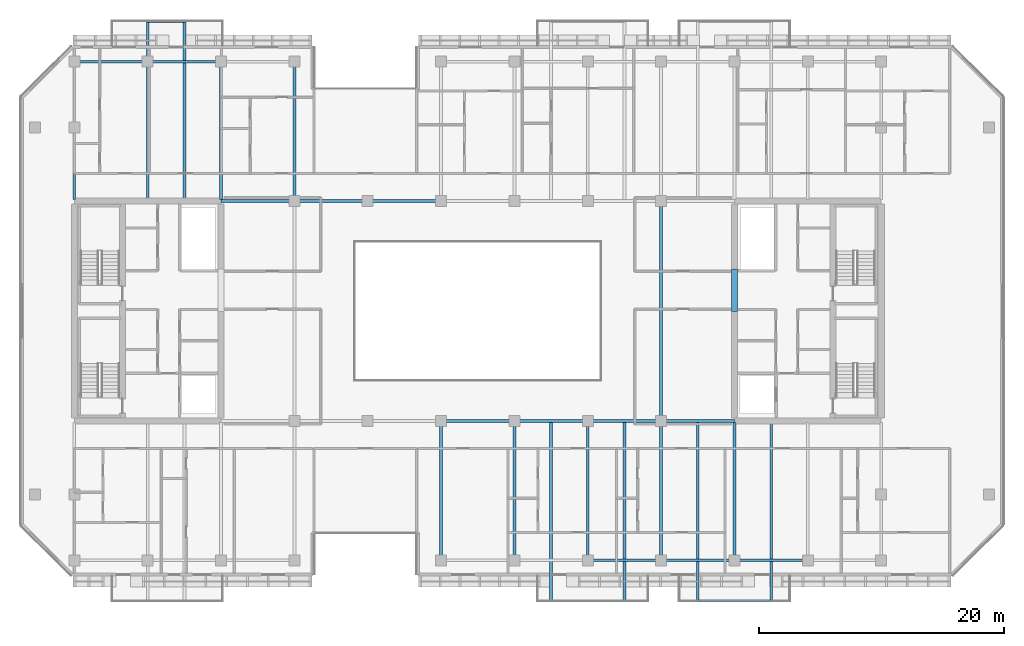
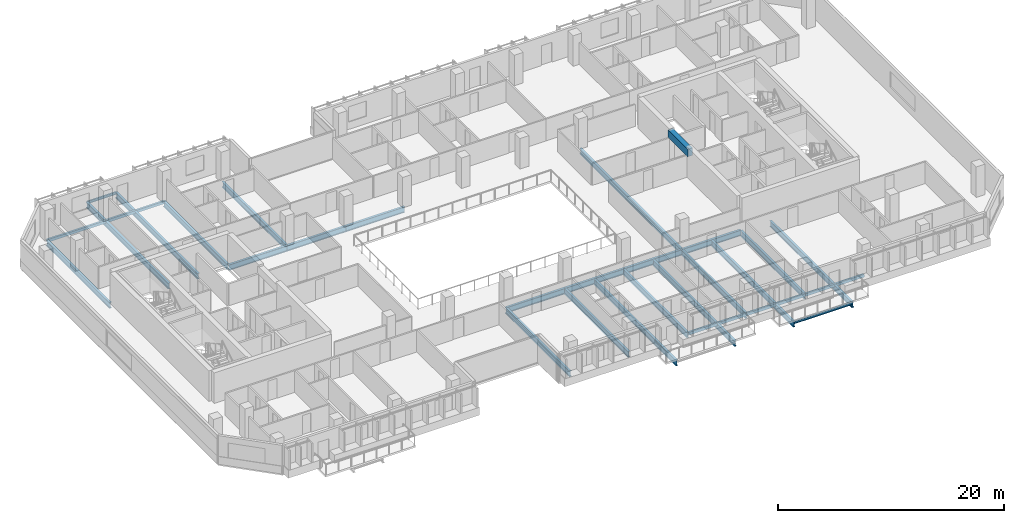
# One storey, part 5 of 20: 30 beams.
"""IFC4 building model written with IfcOpenShell, lengths in metres."""

import ifcopenshell
import ifcopenshell.guid

model = None  # the IFC model being written
_history = None  # IfcOwnerHistory: only IFC2X3 demands one
_inside = {}  # id of a spatial element -> (the spatial element, [elements in it])
_under = {}  # id of a project, library or spatial element -> (it, [spatial elements below it])
_declared = {}  # id of a project -> (the project, [libraries it declares])
_typed = {}  # id of a type object -> (the type object, [elements of that type])
_made_of = {}  # id of a material, layer set ... -> (it, [elements and type objects made of it])


def new_model(schema):
    """Start an empty IFC model of exactly this schema.

    Asked for "IFC4X3", IfcOpenShell would pick the latest addendum, in which some entities
    have other attributes; the version numbers below select the first issue.
    IFC2X3 requires an IfcOwnerHistory on every rooted entity: one is made here for all.
    """
    global model, _history
    if schema == "IFC4X3":
        model = ifcopenshell.file(schema_version=(4, 3, 0, 0))
    else:
        model = ifcopenshell.file(schema=schema)
    _inside.clear()
    _under.clear()
    _declared.clear()
    _typed.clear()
    _made_of.clear()
    _history = None
    if model.schema == "IFC2X3":
        org = make("IfcOrganization", Name="unknown")
        user = make(
            "IfcPersonAndOrganization",
            ThePerson=make("IfcPerson", FamilyName="unknown"),
            TheOrganization=org,
        )
        app = make(
            "IfcApplication",
            ApplicationDeveloper=org,
            Version="unknown",
            ApplicationFullName="unknown",
            ApplicationIdentifier="unknown",
        )
        _history = make(
            "IfcOwnerHistory",
            OwningUser=user,
            OwningApplication=app,
            ChangeAction="ADDED",
            CreationDate=0,
        )
    return model


def make(cls, **values):
    """One entity of the class cls with the attributes given. An attribute that is None is left unset."""
    return model.create_entity(
        cls, **{name: value for name, value in values.items() if value is not None}
    )


def rooted(cls, **values):
    """An entity with a GlobalId (a new one), such as an element, a storey or a relation."""
    return make(cls, GlobalId=ifcopenshell.guid.new(), OwnerHistory=_history, **values)


def si_unit(unit_type, name, prefix=None):
    """IfcSIUnit, for example si_unit("LENGTHUNIT", "METRE", prefix="MILLI")."""
    return make("IfcSIUnit", UnitType=unit_type, Prefix=prefix, Name=name)


def assignment(units):
    """IfcUnitAssignment: the units of a project."""
    return None if units is None else make("IfcUnitAssignment", Units=units)


def point(xyz):
    """IfcCartesianPoint."""
    return None if xyz is None else make("IfcCartesianPoint", Coordinates=xyz)


def direction(xyz):
    """IfcDirection."""
    return None if xyz is None else make("IfcDirection", DirectionRatios=xyz)


def frame(location, z_axis=None, x_axis=None):
    """IfcAxis2Placement3D, a coordinate frame: its origin and axes. An axis left out is left unset."""
    return make(
        "IfcAxis2Placement3D",
        Location=point(location),
        Axis=direction(z_axis),
        RefDirection=direction(x_axis),
    )


def frame_2d(location, x_axis=None):
    """IfcAxis2Placement2D, a coordinate frame in the plane: its origin and x axis."""
    return make(
        "IfcAxis2Placement2D", Location=point(location), RefDirection=direction(x_axis)
    )


def origin():
    """The frame at (0, 0, 0) with its axes left unset."""
    return frame((0.0, 0.0, 0.0))


def origin_2d():
    """The frame at (0, 0) in the plane with its x axis left unset."""
    return frame_2d((0.0, 0.0))


def place(relative_to, where):
    """IfcLocalPlacement: puts the frame where relative to a parent placement (None: the world)."""
    return make(
        "IfcLocalPlacement", PlacementRelTo=relative_to, RelativePlacement=where
    )


def context(
    kind, dimensions, precision=None, world=None, true_north=None, identifier=None
):
    """IfcGeometricRepresentationContext, for example the 3D "Model" context."""
    return make(
        "IfcGeometricRepresentationContext",
        ContextIdentifier=identifier,
        ContextType=kind,
        CoordinateSpaceDimension=dimensions,
        Precision=precision,
        WorldCoordinateSystem=world,
        TrueNorth=true_north,
    )


def subcontext(parent, identifier, kind, view, scale=None):
    """IfcGeometricRepresentationSubContext, for example "Body" below "Model"."""
    return make(
        "IfcGeometricRepresentationSubContext",
        ContextIdentifier=identifier,
        ContextType=kind,
        ParentContext=parent,
        TargetScale=scale,
        TargetView=view,
    )


def project(units=None, contexts=None):
    """IfcProject with its units and contexts."""
    return rooted(
        "IfcProject",
        Name="project",
        RepresentationContexts=contexts,
        UnitsInContext=assignment(units),
    )


def spatial(cls, under=None, at=None, **own):
    """A site, building, storey or space (cls), placed at a placement, below another one or the project."""
    s = rooted(cls, ObjectPlacement=at, **own)
    if under is not None:
        _under.setdefault(under.id(), (under, []))[1].append(s)
    return s


def profile(cls, at=None, kind="AREA", **sizes):
    """A parametric profile (cls). Its sizes go by their IFC names, for example OverallWidth=200.0."""
    return make(cls, ProfileType=kind, Position=at, **sizes)


def rectangle(**sizes):
    """IfcRectangleProfileDef."""
    return profile("IfcRectangleProfileDef", **sizes)


def hollow_rectangle(**sizes):
    """IfcRectangleHollowProfileDef."""
    return profile("IfcRectangleHollowProfileDef", **sizes)


def i_section(**sizes):
    """IfcIShapeProfileDef."""
    return profile("IfcIShapeProfileDef", **sizes)


def extrude(swept, where, along, depth):
    """IfcExtrudedAreaSolid: the profile swept, set in the frame where, extruded along a direction by depth."""
    return make(
        "IfcExtrudedAreaSolid",
        SweptArea=swept,
        Position=where,
        ExtrudedDirection=direction(along),
        Depth=depth,
    )


def shape(context_of_items, identifier, shape_type, items):
    """IfcShapeRepresentation: the items that make up one representation, for example the "Body"."""
    return make(
        "IfcShapeRepresentation",
        ContextOfItems=context_of_items,
        RepresentationIdentifier=identifier,
        RepresentationType=shape_type,
        Items=items,
    )


def material(Name=None, Category=None):
    """IfcMaterial."""
    return make("IfcMaterial", Name=Name, Category=Category)


def material_profile(
    of_material, cross_section, Name=None, Category=None, Priority=None
):
    """IfcMaterialProfile: a cross section and its material."""
    return make(
        "IfcMaterialProfile",
        Name=Name,
        Material=of_material,
        Profile=cross_section,
        Priority=Priority,
        Category=Category,
    )


def profile_set(profiles, Name=None, composite=None):
    """IfcMaterialProfileSet."""
    return make(
        "IfcMaterialProfileSet",
        Name=Name,
        MaterialProfiles=profiles,
        CompositeProfile=composite,
    )


def made_of(thing, what):
    """Note that an element or type object is made of a material, layer set ...; save() writes the relation."""
    if what is not None:
        _made_of.setdefault(what.id(), (what, []))[1].append(thing)
    return thing


def type_object(cls, material=None, **own):
    """A type object (cls), such as IfcWallType, which elements share."""
    return made_of(rooted(cls, **own), material)


def element(
    cls,
    number,
    at=None,
    inside=None,
    cuts=None,
    type_object=None,
    material=None,
    context=None,
    identifier="Body",
    shape_type=None,
    held_by="IfcProductDefinitionShape",
    body=None,
    shapes=None,
    **own,
):
    """One element of the class cls, such as IfcWall. Its Tag is "e" and its number.

    at: its placement. inside: the storey or other place that contains it. cuts: it is an
    opening in that element (IfcRelVoidsElement). A single representation is given by context,
    identifier, shape_type and body (its items); several are given by shapes. held_by: the class
    of the entity that holds the representations. save() writes the other relations.
    """
    e = rooted(cls, Tag="e%d" % number, ObjectPlacement=at, **own)
    if body is not None:
        shapes = [shape(context, identifier, shape_type, body)]
    if shapes is not None:
        e.Representation = make(held_by, Representations=shapes)
    if inside is not None:
        _inside.setdefault(inside.id(), (inside, []))[1].append(e)
    if cuts is not None:
        rooted(
            "IfcRelVoidsElement", RelatingBuildingElement=cuts, RelatedOpeningElement=e
        )
    if type_object is not None:
        _typed.setdefault(type_object.id(), (type_object, []))[1].append(e)
    return made_of(e, material)


def aggregate(whole, parts):
    """IfcRelAggregates: a whole, such as a stair, and the parts it consists of."""
    return rooted("IfcRelAggregates", RelatingObject=whole, RelatedObjects=parts)


def save(model, path):
    """Write the relations noted so far, then the file.

    IfcRelAggregates (storeys below a building ...), IfcRelContainedInSpatialStructure (elements
    in a storey), IfcRelDefinesByType, IfcRelAssociatesMaterial and IfcRelDeclares: one each for
    every whole, place, type object, material and project.
    """
    for whole, parts in _under.values():
        aggregate(whole, parts)
    for where, things in _inside.values():
        rooted(
            "IfcRelContainedInSpatialStructure",
            RelatedElements=things,
            RelatingStructure=where,
        )
    for kind, things in _typed.values():
        rooted("IfcRelDefinesByType", RelatedObjects=things, RelatingType=kind)
    for what, things in _made_of.values():
        rooted("IfcRelAssociatesMaterial", RelatedObjects=things, RelatingMaterial=what)
    for by, libraries in _declared.values():
        rooted("IfcRelDeclares", RelatingContext=by, RelatedDefinitions=libraries)
    model.write(path)


model = new_model("IFC4")

# Units and contexts
model_context = context("Model", 3, precision=1e-05, world=origin(), true_north=direction((0.0, 1.0)))
body_context = subcontext(model_context, "Body", "Model", "MODEL_VIEW")
ifc_project = project(units=[si_unit("LENGTHUNIT", "METRE"), si_unit("AREAUNIT", "SQUARE_METRE"), si_unit("VOLUMEUNIT", "CUBIC_METRE"), si_unit("PLANEANGLEUNIT", "RADIAN"), si_unit("MASSUNIT", "GRAM", prefix="KILO")], contexts=[model_context])

# Site, building, storey
site_placement = place(None, origin())
site = spatial("IfcSite", under=ifc_project, at=site_placement, CompositionType="ELEMENT")
building_placement = place(site_placement, origin())
building = spatial("IfcBuilding", under=site, at=building_placement, Name="Tanjung Sevakor Pilgrim Tower", CompositionType="ELEMENT")
storey_placement = place(building_placement, frame((0.0, 0.0, 141.89990234375)))
storey = spatial("IfcBuildingStorey", under=building, at=storey_placement, Name="L39", CompositionType="ELEMENT", Elevation=141.89990234375)

# Beams
ifc_material_1 = material(Name="Steel S355J2", Category="steel")
ifc_material_profile_1 = material_profile(ifc_material_1, i_section(OverallWidth=0.230224609375, OverallDepth=0.6171875, WebThickness=0.01318359375, FlangeThickness=0.022216796875, FilletRadius=0.0126953125, at=origin_2d()))
ifc_profile_set_1 = profile_set([ifc_material_profile_1], Name="Steel S355J2")
beam_type_1 = type_object("IfcBeamType", Name="BM-B-G3-UB_610x229x140", PredefinedType="BEAM", material=ifc_profile_set_1)
for number, where, z_axis, x_axis, name in (
    (1, (54.0, 24.60009765625, -0.528564453125), (1.0, 0.0, 0.0), (0.0, 1.0, 0.0), "L39 Primary Floor Girder MAIN Y246-04"),
    (2, (60.0, 24.60009765625, -0.528564453125), (1.0, 0.0, 0.0), (0.0, 1.0, 0.0), "L39 Primary Floor Girder MAIN Y246-05"),
    (3, (66.0, 24.60009765625, -0.528564453125), (1.0, 0.0, 0.0), (0.0, 1.0, 0.0), "L39 Primary Floor Girder MAIN Y246-06"),
    (4, (72.0, 24.60009765625, -0.528564453125), (1.0, 0.0, 0.0), (0.0, 1.0, 0.0), "L39 Primary Floor Girder MAIN Y246-07"),
    (5, (36.0, 42.60009765625, -0.528564453125), (1.0, 0.0, 0.0), (0.0, 1.0, 0.0), "L39 Primary Floor Girder MAIN Y426-01"),
    (6, (42.0, 42.60009765625, -0.528564453125), (1.0, 0.0, 0.0), (0.0, 1.0, 0.0), "L39 Primary Floor Girder MAIN Y426-02"),
    (7, (48.0, 42.60009765625, -0.528564453125), (1.0, 0.0, 0.0), (0.0, 1.0, 0.0), "L39 Primary Floor Girder MAIN Y426-03"),
):
    element("IfcBeam", number, at=place(storey_placement, frame(where, z_axis=z_axis, x_axis=x_axis)), inside=storey, type_object=beam_type_1, Name=name, PredefinedType="BEAM", context=body_context, shape_type="SweptSolid", body=[
        extrude(i_section(OverallWidth=0.230224609375, OverallDepth=0.6171875, WebThickness=0.01318359375, FlangeThickness=0.022216796875, FilletRadius=0.0126953125, at=origin_2d()), origin(), (0.0, 0.0, 1.0), 6.0),
    ])
ifc_material_2 = material(Name="Steel S355J2", Category="steel")
ifc_material_profile_2 = material_profile(ifc_material_2, i_section(OverallWidth=0.22900390625, OverallDepth=0.6123046875, WebThickness=0.011962890625, FlangeThickness=0.01953125, FilletRadius=0.0126953125, at=origin_2d()))
ifc_profile_set_2 = profile_set([ifc_material_profile_2], Name="Steel S355J2")
beam_type_2 = type_object("IfcBeamType", Name="BM-B-G4-UB_610x229x125", PredefinedType="BEAM", material=ifc_profile_set_2)
beam_1_placement = place(storey_placement, frame((24.0, 42.715087890625, -0.526123046875), z_axis=(0.0, 1.0, 0.0), x_axis=(-1.0, 0.0, 0.0)))
element("IfcBeam", 8, at=beam_1_placement, inside=storey, type_object=beam_type_2, Name="L39 MAIN Girder 002", PredefinedType="BEAM", context=body_context, shape_type="SweptSolid", body=[
    extrude(i_section(OverallWidth=0.22900390625, OverallDepth=0.6123046875, WebThickness=0.011962890625, FlangeThickness=0.01953125, FilletRadius=0.0126953125, at=origin_2d()), origin(), (0.0, 0.0, 1.0), 11.284912109375),
])
for number, where, z_axis, x_axis, name in (
    (9, (30.0, 42.715087890625, -0.526123046875), (0.0, 1.0, 0.0), (-1.0, 0.0, 0.0), "L39 Balcony Cantilever Beam MAIN-N1-1"),
    (10, (33.0, 42.715087890625, -0.526123046875), (0.0, 1.0, 0.0), (-1.0, 0.0, 0.0), "L39 Balcony Cantilever Beam MAIN-N1-2"),
):
    element("IfcBeam", number, at=place(storey_placement, frame(where, z_axis=z_axis, x_axis=x_axis)), inside=storey, type_object=beam_type_2, Name=name, PredefinedType="BEAM", context=body_context, shape_type="SweptSolid", body=[
        extrude(i_section(OverallWidth=0.22900390625, OverallDepth=0.6123046875, WebThickness=0.011962890625, FlangeThickness=0.01953125, FilletRadius=0.0126953125, at=origin_2d()), origin(), (0.0, 0.0, 1.0), 14.56494140625),
    ])
beam_2_placement = place(storey_placement, frame((36.0, 42.715087890625, -0.526123046875), z_axis=(0.0, 1.0, 0.0), x_axis=(-1.0, 0.0, 0.0)))
element("IfcBeam", 11, at=beam_2_placement, inside=storey, type_object=beam_type_2, Name="L39 MAIN Girder 004", PredefinedType="BEAM", context=body_context, shape_type="SweptSolid", body=[
    extrude(i_section(OverallWidth=0.22900390625, OverallDepth=0.6123046875, WebThickness=0.011962890625, FlangeThickness=0.01953125, FilletRadius=0.0126953125, at=origin_2d()), origin(), (0.0, 0.0, 1.0), 11.284912109375),
])
beam_3_placement = place(storey_placement, frame((42.0, 42.60009765625, -0.526123046875), z_axis=(0.0, 1.0, 0.0), x_axis=(-1.0, 0.0, 0.0)))
element("IfcBeam", 12, at=beam_3_placement, inside=storey, type_object=beam_type_2, Name="L39 MAIN Girder 007", PredefinedType="BEAM", context=body_context, shape_type="SweptSolid", body=[
    extrude(i_section(OverallWidth=0.22900390625, OverallDepth=0.6123046875, WebThickness=0.011962890625, FlangeThickness=0.01953125, FilletRadius=0.0126953125, at=origin_2d()), origin(), (0.0, 0.0, 1.0), 11.39990234375),
])
for number, where, z_axis, x_axis, name in (
    (13, (54.0, 13.199951171875, -0.526123046875), (0.0, 1.0, 0.0), (-1.0, 0.0, 0.0), "L39 MAIN Girder 008"),
    (14, (60.0, 13.199951171875, -0.526123046875), (0.0, 1.0, 0.0), (-1.0, 0.0, 0.0), "L39 MAIN Girder 010"),
):
    element("IfcBeam", number, at=place(storey_placement, frame(where, z_axis=z_axis, x_axis=x_axis)), inside=storey, type_object=beam_type_2, Name=name, PredefinedType="BEAM", context=body_context, shape_type="SweptSolid", body=[
        extrude(i_section(OverallWidth=0.22900390625, OverallDepth=0.6123046875, WebThickness=0.011962890625, FlangeThickness=0.01953125, FilletRadius=0.0126953125, at=origin_2d()), origin(), (0.0, 0.0, 1.0), 11.400146484375),
    ])
beam_4_placement = place(storey_placement, frame((63.0, 24.48486328125, -0.526123046875), z_axis=(0.0, -1.0, 0.0), x_axis=(1.0, 0.0, 0.0)))
element("IfcBeam", 15, at=beam_4_placement, inside=storey, type_object=beam_type_2, Name="L39 Balcony Cantilever Beam MAIN-S2-1", PredefinedType="BEAM", context=body_context, shape_type="SweptSolid", body=[
    extrude(i_section(OverallWidth=0.22900390625, OverallDepth=0.6123046875, WebThickness=0.011962890625, FlangeThickness=0.01953125, FilletRadius=0.0126953125, at=origin_2d()), origin(), (0.0, 0.0, 1.0), 14.56494140625),
])
beam_5_placement = place(storey_placement, frame((66.0, 13.199951171875, -0.526123046875), z_axis=(0.0, 1.0, 0.0), x_axis=(-1.0, 0.0, 0.0)))
element("IfcBeam", 16, at=beam_5_placement, inside=storey, type_object=beam_type_2, Name="L39 MAIN Girder 012", PredefinedType="BEAM", context=body_context, shape_type="SweptSolid", body=[
    extrude(i_section(OverallWidth=0.22900390625, OverallDepth=0.6123046875, WebThickness=0.011962890625, FlangeThickness=0.01953125, FilletRadius=0.0126953125, at=origin_2d()), origin(), (0.0, 0.0, 1.0), 11.400146484375),
])
beam_6_placement = place(storey_placement, frame((69.0, 24.48486328125, -0.526123046875), z_axis=(0.0, -1.0, 0.0), x_axis=(1.0, 0.0, 0.0)))
element("IfcBeam", 17, at=beam_6_placement, inside=storey, type_object=beam_type_2, Name="L39 Balcony Cantilever Beam MAIN-S2-2", PredefinedType="BEAM", context=body_context, shape_type="SweptSolid", body=[
    extrude(i_section(OverallWidth=0.22900390625, OverallDepth=0.6123046875, WebThickness=0.011962890625, FlangeThickness=0.01953125, FilletRadius=0.0126953125, at=origin_2d()), origin(), (0.0, 0.0, 1.0), 14.56494140625),
])
beam_7_placement = place(storey_placement, frame((72.0, 13.199951171875, -0.526123046875), z_axis=(0.0, 1.0, 0.0), x_axis=(-1.0, 0.0, 0.0)))
element("IfcBeam", 18, at=beam_7_placement, inside=storey, type_object=beam_type_2, Name="L39 MAIN Girder 014", PredefinedType="BEAM", context=body_context, shape_type="SweptSolid", body=[
    extrude(i_section(OverallWidth=0.22900390625, OverallDepth=0.6123046875, WebThickness=0.011962890625, FlangeThickness=0.01953125, FilletRadius=0.0126953125, at=origin_2d()), origin(), (0.0, 0.0, 1.0), 11.400146484375),
])
beam_8_placement = place(storey_placement, frame((72.0, 24.60009765625, -0.526123046875), z_axis=(0.0, 1.0, 0.0), x_axis=(-1.0, 0.0, 0.0)))
element("IfcBeam", 19, at=beam_8_placement, inside=storey, type_object=beam_type_2, Name="L39 MAIN Girder 015", PredefinedType="BEAM", context=body_context, shape_type="SweptSolid", body=[
    extrude(i_section(OverallWidth=0.22900390625, OverallDepth=0.6123046875, WebThickness=0.011962890625, FlangeThickness=0.01953125, FilletRadius=0.0126953125, at=origin_2d()), origin(), (0.0, 0.0, 1.0), 18.0),
])
beam_9_placement = place(storey_placement, frame((75.0, 24.48486328125, -0.526123046875), z_axis=(0.0, -1.0, 0.0), x_axis=(1.0, 0.0, 0.0)))
element("IfcBeam", 20, at=beam_9_placement, inside=storey, type_object=beam_type_2, Name="L39 Balcony Cantilever Beam MAIN-S3-1", PredefinedType="BEAM", context=body_context, shape_type="SweptSolid", body=[
    extrude(i_section(OverallWidth=0.22900390625, OverallDepth=0.6123046875, WebThickness=0.011962890625, FlangeThickness=0.01953125, FilletRadius=0.0126953125, at=origin_2d()), origin(), (0.0, 0.0, 1.0), 14.56494140625),
])
beam_10_placement = place(storey_placement, frame((78.0, 13.199951171875, -0.526123046875), z_axis=(0.0, 1.0, 0.0), x_axis=(-1.0, 0.0, 0.0)))
element("IfcBeam", 21, at=beam_10_placement, inside=storey, type_object=beam_type_2, Name="L39 MAIN Girder 017", PredefinedType="BEAM", context=body_context, shape_type="SweptSolid", body=[
    extrude(i_section(OverallWidth=0.22900390625, OverallDepth=0.6123046875, WebThickness=0.011962890625, FlangeThickness=0.01953125, FilletRadius=0.0126953125, at=origin_2d()), origin(), (0.0, 0.0, 1.0), 11.284912109375),
])
beam_11_placement = place(storey_placement, frame((81.0, 24.48486328125, -0.526123046875), z_axis=(0.0, -1.0, 0.0), x_axis=(1.0, 0.0, 0.0)))
element("IfcBeam", 22, at=beam_11_placement, inside=storey, type_object=beam_type_2, Name="L39 Balcony Cantilever Beam MAIN-S3-2", PredefinedType="BEAM", context=body_context, shape_type="SweptSolid", body=[
    extrude(i_section(OverallWidth=0.22900390625, OverallDepth=0.6123046875, WebThickness=0.011962890625, FlangeThickness=0.01953125, FilletRadius=0.0126953125, at=origin_2d()), origin(), (0.0, 0.0, 1.0), 14.56494140625),
])
ifc_material_3 = material(Name="Steel S355J2", Category="steel")
ifc_material_profile_3 = material_profile(ifc_material_3, i_section(OverallWidth=0.146484375, OverallDepth=0.256103515625, WebThickness=0.00634765625, FlangeThickness=0.010986328125, FilletRadius=0.007568359375, at=origin_2d()))
ifc_profile_set_3 = profile_set([ifc_material_profile_3], Name="Steel S355J2")
beam_type_3 = type_object("IfcBeamType", Name="BM-B-J6-UB_254x146x37", PredefinedType="JOIST", material=ifc_profile_set_3)
beam_12_placement = place(storey_placement, frame((30.0, 57.280029296875, -0.327880859375), z_axis=(1.0, 0.0, 0.0), x_axis=(0.0, 1.0, 0.0)))
element("IfcBeam", 23, at=beam_12_placement, inside=storey, type_object=beam_type_3, Name="L39 Balcony Rim Tie MAIN-N1", PredefinedType="JOIST", context=body_context, shape_type="SweptSolid", body=[
    extrude(i_section(OverallWidth=0.146484375, OverallDepth=0.256103515625, WebThickness=0.00634765625, FlangeThickness=0.010986328125, FilletRadius=0.007568359375, at=origin_2d()), origin(), (0.0, 0.0, 1.0), 3.0),
])
beam_13_placement = place(storey_placement, frame((75.0, 9.919921875, -0.327880859375), z_axis=(1.0, 0.0, 0.0), x_axis=(0.0, 1.0, 0.0)))
element("IfcBeam", 24, at=beam_13_placement, inside=storey, type_object=beam_type_3, Name="L39 Balcony Rim Tie MAIN-S3", PredefinedType="JOIST", context=body_context, shape_type="SweptSolid", body=[
    extrude(i_section(OverallWidth=0.146484375, OverallDepth=0.256103515625, WebThickness=0.00634765625, FlangeThickness=0.010986328125, FilletRadius=0.007568359375, at=origin_2d()), origin(), (0.0, 0.0, 1.0), 6.0),
])
ifc_material_4 = material(Name="Concrete C60/75", Category="concrete")
ifc_material_profile_4 = material_profile(ifc_material_4, rectangle(XDim=0.5, YDim=0.800048828125, at=origin_2d()))
ifc_profile_set_4 = profile_set([ifc_material_profile_4], Name="Concrete C60/75")
beam_type_4 = type_object("IfcBeamType", Name="BM-B-LN2-RC-BM_500x800", PredefinedType="LINTEL", material=ifc_profile_set_4)
beam_14_placement = place(storey_placement, frame((78.0, 33.550048828125, 2.68017578125), z_axis=(0.0, 1.0, 0.0), x_axis=(-1.0, 0.0, 0.0)))
element("IfcBeam", 25, at=beam_14_placement, inside=storey, type_object=beam_type_4, Name="L39 E Core Coupling Lintel", PredefinedType="LINTEL", context=body_context, shape_type="SweptSolid", body=[
    extrude(rectangle(XDim=0.5, YDim=0.800048828125, at=origin_2d()), origin(), (0.0, 0.0, 1.0), 3.5),
])
ifc_material_5 = material(Name="Steel S355J2", Category="steel")
ifc_material_profile_5 = material_profile(ifc_material_5, hollow_rectangle(XDim=0.199951171875, YDim=0.300048828125, WallThickness=0.012451171875, at=origin_2d()))
ifc_profile_set_5 = profile_set([ifc_material_profile_5], Name="Steel S355J2")
beam_type_5 = type_object("IfcBeamType", Name="BM-B-SP3-RHS_300x200x12.5", PredefinedType="SPANDREL", material=ifc_profile_set_5)
for number, where, z_axis, x_axis, name in (
    (26, (24.0, 54.0, -0.369873046875), (1.0, 0.0, 0.0), (0.0, 1.0, 0.0), "L39 Spandrel MAIN N-02"),
    (27, (30.0, 54.0, -0.369873046875), (1.0, 0.0, 0.0), (0.0, 1.0, 0.0), "L39 Spandrel MAIN N-04"),
    (28, (66.0, 13.199951171875, -0.369873046875), (1.0, 0.0, 0.0), (0.0, 1.0, 0.0), "L39 Spandrel MAIN S-11"),
    (29, (72.0, 13.199951171875, -0.369873046875), (1.0, 0.0, 0.0), (0.0, 1.0, 0.0), "L39 Spandrel MAIN S-13"),
    (30, (78.0, 13.199951171875, -0.369873046875), (1.0, 0.0, 0.0), (0.0, 1.0, 0.0), "L39 Spandrel MAIN S-15"),
):
    element("IfcBeam", number, at=place(storey_placement, frame(where, z_axis=z_axis, x_axis=x_axis)), inside=storey, type_object=beam_type_5, Name=name, PredefinedType="SPANDREL", context=body_context, shape_type="SweptSolid", body=[
        extrude(hollow_rectangle(XDim=0.199951171875, YDim=0.300048828125, WallThickness=0.012451171875, at=origin_2d()), origin(), (0.0, 0.0, 1.0), 6.0),
    ])

save(model, "model.ifc")
